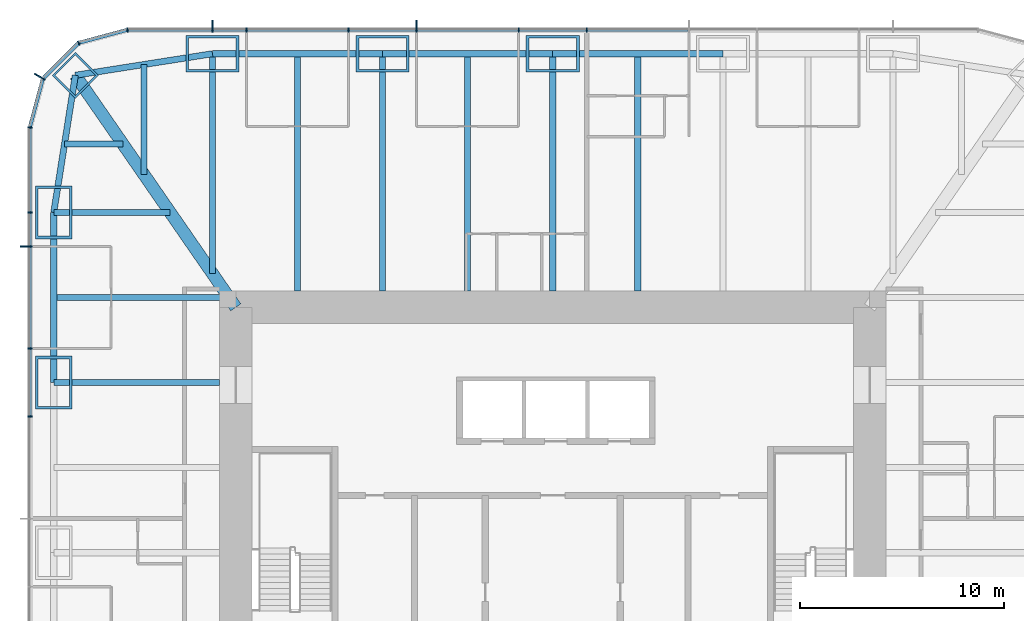
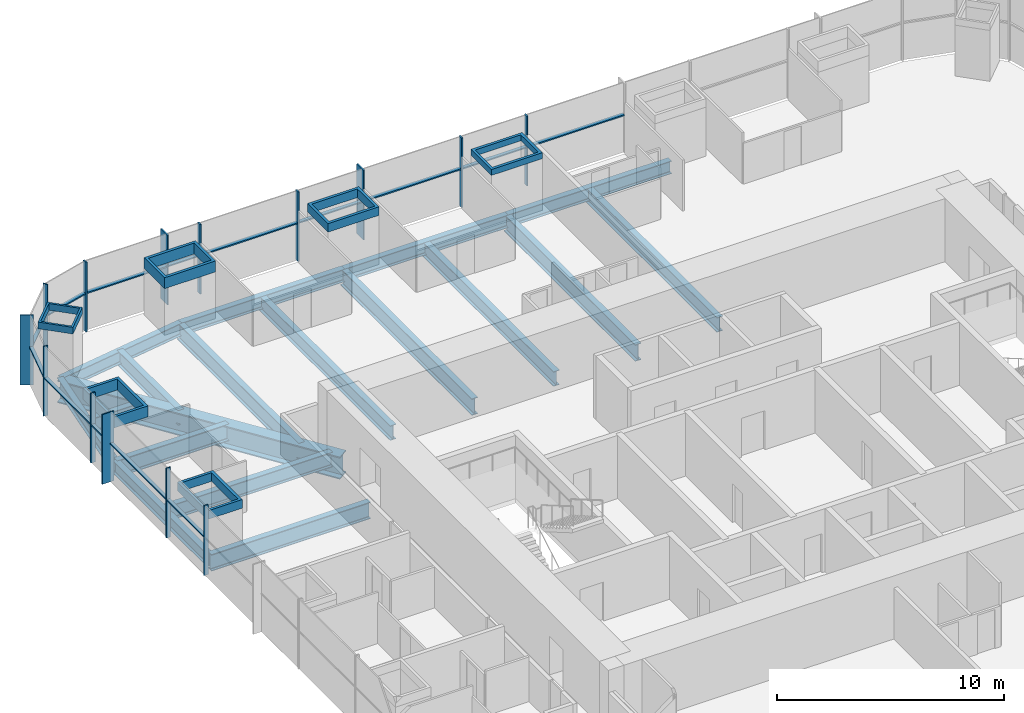
# One storey, part 5 of 13: 34 members, 18 beams, 3 elements without a shape of their own.
"""IFC4 building model written with IfcOpenShell, lengths in metres."""

from ifc_helpers import new_model, si_unit, direction, frame, origin, origin_2d, place, context, subcontext, project, spatial, rectangle, hollow_rectangle, i_section, extrude, material, material_profile, profile_set, type_object, element, aggregate, save


model = new_model("IFC4")

# Units and contexts
model_context = context("Model", 3, precision=1e-05, world=origin(), true_north=direction((0.0, 1.0)))
body_context = subcontext(model_context, "Body", "Model", "MODEL_VIEW")
ifc_project = project(units=[si_unit("LENGTHUNIT", "METRE"), si_unit("AREAUNIT", "SQUARE_METRE"), si_unit("VOLUMEUNIT", "CUBIC_METRE"), si_unit("PLANEANGLEUNIT", "RADIAN"), si_unit("MASSUNIT", "GRAM", prefix="KILO")], contexts=[model_context])

# Site, building, storey
site_placement = place(None, origin())
site = spatial("IfcSite", under=ifc_project, at=site_placement, CompositionType="ELEMENT")
building_placement = place(site_placement, origin())
building = spatial("IfcBuilding", under=site, at=building_placement, Name="Khuree Lantern Residences", CompositionType="ELEMENT")
storey_placement = place(building_placement, frame((0.0, 0.0, 274.5)))
storey = spatial("IfcBuildingStorey", under=building, at=storey_placement, Name="L69", CompositionType="ELEMENT", Elevation=274.5)

# Beams
ifc_material_1 = material(Name="Steel S355", Category="steel")
ifc_material_profile_1 = material_profile(ifc_material_1, i_section(OverallWidth=0.300048828125, OverallDepth=0.7900390625, WebThickness=0.014892578125, FlangeThickness=0.028076171875, FilletRadius=0.030029296875, at=origin_2d()), Name="HE 800 A")
ifc_profile_set_1 = profile_set([ifc_material_profile_1], Name="Steel S355")
beam_type_1 = type_object("IfcBeamType", Name="B-35A SECONDARY BEAM HE 800 A", PredefinedType="BEAM", material=ifc_profile_set_1)
for number, where, z_axis, x_axis, name in (
    (1, (-12.47998046875, 24.39990234375, -0.64501953125), (0.0, -1.0, 0.0), (1.0, 0.0, 0.0), "Secondary beam N1"),
    (2, (-4.159912109375, 24.39990234375, -0.64501953125), (0.0, -1.0, 0.0), (1.0, 0.0, 0.0), "Secondary beam N2"),
    (3, (4.159912109375, 24.39990234375, -0.64501953125), (0.0, -1.0, 0.0), (1.0, 0.0, 0.0), "Secondary beam N3"),
):
    element("IfcBeam", number, at=place(storey_placement, frame(where, z_axis=z_axis, x_axis=x_axis)), inside=storey, type_object=beam_type_1, Name=name, PredefinedType="BEAM", context=body_context, shape_type="SweptSolid", body=[
        extrude(i_section(OverallWidth=0.300048828125, OverallDepth=0.7900390625, WebThickness=0.014892578125, FlangeThickness=0.028076171875, FilletRadius=0.030029296875, at=origin_2d()), origin(), (0.0, 0.0, 1.0), 11.599853515625),
    ])
beam_1_placement = place(storey_placement, frame((-24.39990234375, 12.47998046875, -0.64501953125), z_axis=(1.0, 0.0, 0.0), x_axis=(0.0, 1.0, 0.0)))
element("IfcBeam", 4, at=beam_1_placement, inside=storey, type_object=beam_type_1, Name="Secondary beam W5", PredefinedType="BEAM", context=body_context, shape_type="SweptSolid", body=[
    extrude(i_section(OverallWidth=0.300048828125, OverallDepth=0.7900390625, WebThickness=0.014892578125, FlangeThickness=0.028076171875, FilletRadius=0.030029296875, at=origin_2d()), origin(), (0.0, 0.0, 1.0), 8.56787109375),
])
beam_2_placement = place(storey_placement, frame((-23.872802734375, 19.992919921875, -0.64501953125), z_axis=(1.0, 0.0, 0.0), x_axis=(0.0, 1.0, 0.0)))
element("IfcBeam", 5, at=beam_2_placement, inside=storey, type_object=beam_type_1, Name="Secondary beam W6", PredefinedType="BEAM", context=body_context, shape_type="SweptSolid", body=[
    extrude(i_section(OverallWidth=0.300048828125, OverallDepth=0.7900390625, WebThickness=0.014892578125, FlangeThickness=0.028076171875, FilletRadius=0.030029296875, at=origin_2d()), origin(), (0.0, 0.0, 1.0), 2.845703125),
])
beam_3_placement = place(storey_placement, frame((-19.992919921875, 23.872802734375, -0.64501953125), z_axis=(0.0, -1.0, 0.0), x_axis=(1.0, 0.0, 0.0)))
element("IfcBeam", 6, at=beam_3_placement, inside=storey, type_object=beam_type_1, Name="Secondary beam N6", PredefinedType="BEAM", context=body_context, shape_type="SweptSolid", body=[
    extrude(i_section(OverallWidth=0.300048828125, OverallDepth=0.7900390625, WebThickness=0.014892578125, FlangeThickness=0.028076171875, FilletRadius=0.030029296875, at=origin_2d()), origin(), (0.0, 0.0, 1.0), 5.375732421875),
])
ifc_material_profile_2 = material_profile(ifc_material_1, i_section(OverallWidth=0.300048828125, OverallDepth=0.68994140625, WebThickness=0.014404296875, FlangeThickness=0.027099609375, FilletRadius=0.027099609375, at=origin_2d()), Name="HE 700 A")
ifc_profile_set_2 = profile_set([ifc_material_profile_2], Name="Steel S355")
beam_type_2 = type_object("IfcBeamType", Name="E-35A SPANDREL BEAM HE 700 A", PredefinedType="SPANDREL", material=ifc_profile_set_2)
beam_4_placement = place(storey_placement, frame((-16.639892578125, 24.39990234375, -0.594970703125), z_axis=(1.0, 0.0, 0.0), x_axis=(0.0, 1.0, 0.0)))
element("IfcBeam", 7, at=beam_4_placement, inside=storey, type_object=beam_type_2, Name="Spandrel beam N1", PredefinedType="SPANDREL", context=body_context, shape_type="SweptSolid", body=[
    extrude(i_section(OverallWidth=0.300048828125, OverallDepth=0.68994140625, WebThickness=0.014404296875, FlangeThickness=0.027099609375, FilletRadius=0.027099609375, at=origin_2d()), origin(), (0.0, 0.0, 1.0), 8.31982421875),
])
for number, where, z_axis, x_axis, name in (
    (8, (-8.320068359375, 24.39990234375, -0.594970703125), (1.0, 0.0, 0.0), (0.0, 1.0, 0.0), "Spandrel beam N2"),
    (9, (0.0, 24.39990234375, -0.594970703125), (1.0, 0.0, 0.0), (0.0, 1.0, 0.0), "Spandrel beam N3"),
):
    element("IfcBeam", number, at=place(storey_placement, frame(where, z_axis=z_axis, x_axis=x_axis)), inside=storey, type_object=beam_type_2, Name=name, PredefinedType="SPANDREL", context=body_context, shape_type="SweptSolid", body=[
        extrude(i_section(OverallWidth=0.300048828125, OverallDepth=0.68994140625, WebThickness=0.014404296875, FlangeThickness=0.027099609375, FilletRadius=0.027099609375, at=origin_2d()), origin(), (0.0, 0.0, 1.0), 8.320068359375),
    ])
beam_5_placement = place(storey_placement, frame((-24.39990234375, 8.320068359375, -0.594970703125), z_axis=(0.0, 1.0, 0.0), x_axis=(-1.0, 0.0, 0.0)))
element("IfcBeam", 10, at=beam_5_placement, inside=storey, type_object=beam_type_2, Name="Spandrel beam W5", PredefinedType="SPANDREL", context=body_context, shape_type="SweptSolid", body=[
    extrude(i_section(OverallWidth=0.300048828125, OverallDepth=0.68994140625, WebThickness=0.014404296875, FlangeThickness=0.027099609375, FilletRadius=0.027099609375, at=origin_2d()), origin(), (0.0, 0.0, 1.0), 8.31982421875),
])
for number, where, z_axis, x_axis, name in (
    (11, (-24.39990234375, 16.639892578125, -0.594970703125), (0.155299507442, 0.98786743189, 0.0), (-0.98786743189, 0.155299507442, 0.0), "Spandrel beam W6"),
    (12, (-23.345703125, 23.345703125, -0.594970703125), (0.98786743189, 0.155299507442, 0.0), (-0.155299507442, 0.98786743189, 0.0), "Spandrel beam N6"),
):
    element("IfcBeam", number, at=place(storey_placement, frame(where, z_axis=z_axis, x_axis=x_axis)), inside=storey, type_object=beam_type_2, Name=name, PredefinedType="SPANDREL", context=body_context, shape_type="SweptSolid", body=[
        extrude(i_section(OverallWidth=0.300048828125, OverallDepth=0.68994140625, WebThickness=0.014404296875, FlangeThickness=0.027099609375, FilletRadius=0.027099609375, at=origin_2d()), origin(), (0.0, 0.0, 1.0), 6.7880859375),
    ])

# Curtain wall, members
ifc_material_2 = material(Name="Bronze anodised aluminium", Category="aluminium")
curtain_wall_type_1 = type_object("IfcCurtainWallType", Name="CW-T1 TOWER FACE CURTAIN WALL", PredefinedType="USERDEFINED", material=ifc_material_2)
curtain_wall_1_placement = place(storey_placement, origin())
curtain_wall_1 = element("IfcCurtainWall", 13, at=curtain_wall_1_placement, inside=storey, type_object=curtain_wall_type_1, Name="L69 NORTH FACE CURTAIN WALL", ObjectType="Stick-built curtain wall", PredefinedType="USERDEFINED")
ifc_material_profile_3 = material_profile(ifc_material_2, rectangle(XDim=0.06494140625, YDim=0.60009765625, at=origin_2d()), Name="F1 65X600")
ifc_profile_set_3 = profile_set([ifc_material_profile_3], Name="Bronze anodised aluminium")
member_type_1 = type_object("IfcMemberType", Name="F1 BRONZE FIN MULLION TOWER 65X600", PredefinedType="MULLION", material=ifc_profile_set_3)
member_1_placement = place(storey_placement, frame((-6.656005859375, 25.75, 0.0), z_axis=(0.0, 0.0, 1.0), x_axis=(-1.0, 0.0, 0.0)))
member_1 = element("IfcMember", 14, at=member_1_placement, type_object=member_type_1, Name="L69 NORTH FACE FIN MULLION 25", PredefinedType="MULLION", context=body_context, shape_type="SweptSolid", body=[
    extrude(rectangle(XDim=0.06494140625, YDim=0.60009765625, at=origin_2d()), origin(), (0.0, 0.0, 1.0), 3.75),
])
member_2_placement = place(storey_placement, frame((-16.639892578125, 25.75, 0.0), z_axis=(0.0, 0.0, 1.0), x_axis=(-1.0, 0.0, 0.0)))
member_2 = element("IfcMember", 15, at=member_2_placement, type_object=member_type_1, Name="L69 NORTH FACE FIN MULLION 28", PredefinedType="MULLION", context=body_context, shape_type="SweptSolid", body=[
    extrude(rectangle(XDim=0.06494140625, YDim=0.60009765625, at=origin_2d()), origin(), (0.0, 0.0, 1.0), 3.75),
])

# Curtain wall, member
curtain_wall_type_2 = type_object("IfcCurtainWallType", Name="CW-T2 TOWER CORNER CURTAIN WALL", PredefinedType="USERDEFINED", material=ifc_material_2)
curtain_wall_2_placement = place(storey_placement, origin())
curtain_wall_2 = element("IfcCurtainWall", 16, at=curtain_wall_2_placement, inside=storey, type_object=curtain_wall_type_2, Name="L69 NORTH-WEST CORNER CURTAIN WALL", ObjectType="Faceted corner curtain wall", PredefinedType="USERDEFINED")
member_3_placement = place(storey_placement, frame((-25.0869140625, 23.27490234375, 0.0), z_axis=(0.0, 0.0, 1.0), x_axis=(-0.499999989586, -0.866025409797, 0.0)))
member_3 = element("IfcMember", 17, at=member_3_placement, type_object=member_type_1, Name="L69 NORTH-WEST CORNER FIN MULLION 31", PredefinedType="MULLION", context=body_context, shape_type="SweptSolid", body=[
    extrude(rectangle(XDim=0.06494140625, YDim=0.60009765625, at=origin_2d()), origin(), (0.0, 0.0, 1.0), 3.75),
])

curtain_wall_3_placement = place(storey_placement, origin())
curtain_wall_3 = element("IfcCurtainWall", 18, at=curtain_wall_3_placement, inside=storey, type_object=curtain_wall_type_1, Name="L69 WEST FACE CURTAIN WALL", ObjectType="Stick-built curtain wall", PredefinedType="USERDEFINED")
member_4_placement = place(storey_placement, frame((-25.75, 14.97607421875, 0.0), z_axis=(0.0, 0.0, 1.0), x_axis=(0.0, -1.0, 0.0)))
member_4 = element("IfcMember", 19, at=member_4_placement, type_object=member_type_1, Name="L69 WEST FACE FIN MULLION 34", PredefinedType="MULLION", context=body_context, shape_type="SweptSolid", body=[
    extrude(rectangle(XDim=0.06494140625, YDim=0.60009765625, at=origin_2d()), origin(), (0.0, 0.0, 1.0), 3.75),
])

# Beams
ifc_material_profile_4 = material_profile(ifc_material_1, i_section(OverallWidth=0.300048828125, OverallDepth=0.89990234375, WebThickness=0.0185546875, FlangeThickness=0.034912109375, FilletRadius=0.030029296875, at=origin_2d()), Name="HE 900 B")
ifc_profile_set_4 = profile_set([ifc_material_profile_4], Name="Steel S355")
beam_type_3 = type_object("IfcBeamType", Name="G-35 GIRDER HE 900 B", PredefinedType="BEAM", material=ifc_profile_set_4)
beam_6_placement = place(storey_placement, frame((-16.639892578125, 24.39990234375, -0.699951171875), z_axis=(0.0, -1.0, 0.0), x_axis=(1.0, 0.0, 0.0)))
element("IfcBeam", 20, at=beam_6_placement, inside=storey, type_object=beam_type_3, Name="Girder N1", PredefinedType="BEAM", context=body_context, shape_type="SweptSolid", body=[
    extrude(i_section(OverallWidth=0.300048828125, OverallDepth=0.89990234375, WebThickness=0.0185546875, FlangeThickness=0.034912109375, FilletRadius=0.030029296875, at=origin_2d()), origin(), (0.0, 0.0, 1.0), 10.751220703125),
])
for number, where, z_axis, x_axis, name in (
    (21, (-8.320068359375, 24.39990234375, -0.699951171875), (0.0, -1.0, 0.0), (1.0, 0.0, 0.0), "Girder N2"),
    (22, (0.0, 24.39990234375, -0.699951171875), (0.0, -1.0, 0.0), (1.0, 0.0, 0.0), "Girder N3"),
):
    element("IfcBeam", number, at=place(storey_placement, frame(where, z_axis=z_axis, x_axis=x_axis)), inside=storey, type_object=beam_type_3, Name=name, PredefinedType="BEAM", context=body_context, shape_type="SweptSolid", body=[
        extrude(i_section(OverallWidth=0.300048828125, OverallDepth=0.89990234375, WebThickness=0.0185546875, FlangeThickness=0.034912109375, FilletRadius=0.030029296875, at=origin_2d()), origin(), (0.0, 0.0, 1.0), 11.599853515625),
    ])
beam_7_placement = place(storey_placement, frame((-24.39990234375, 8.320068359375, -0.699951171875), z_axis=(1.0, 0.0, 0.0), x_axis=(0.0, 1.0, 0.0)))
element("IfcBeam", 23, at=beam_7_placement, inside=storey, type_object=beam_type_3, Name="Girder W4", PredefinedType="BEAM", context=body_context, shape_type="SweptSolid", body=[
    extrude(i_section(OverallWidth=0.300048828125, OverallDepth=0.89990234375, WebThickness=0.0185546875, FlangeThickness=0.034912109375, FilletRadius=0.030029296875, at=origin_2d()), origin(), (0.0, 0.0, 1.0), 8.099853515625),
])
beam_8_placement = place(storey_placement, frame((-24.39990234375, 16.639892578125, -0.699951171875), z_axis=(1.0, 0.0, 0.0), x_axis=(0.0, 1.0, 0.0)))
element("IfcBeam", 24, at=beam_8_placement, inside=storey, type_object=beam_type_3, Name="Girder W5", PredefinedType="BEAM", context=body_context, shape_type="SweptSolid", body=[
    extrude(i_section(OverallWidth=0.300048828125, OverallDepth=0.89990234375, WebThickness=0.0185546875, FlangeThickness=0.034912109375, FilletRadius=0.030029296875, at=origin_2d()), origin(), (0.0, 0.0, 1.0), 5.69140625),
])
ifc_material_profile_5 = material_profile(ifc_material_1, i_section(OverallWidth=0.60009765625, OverallDepth=1.199951171875, WebThickness=0.030029296875, FlangeThickness=0.06005859375, at=origin_2d()), Name="WELDED I 1200X600X30X60")
ifc_profile_set_5 = profile_set([ifc_material_profile_5], Name="Steel S355")
beam_type_4 = type_object("IfcBeamType", Name="GD-35A CORNER GIRDER WELDED I 1200X600X30X60", PredefinedType="BEAM", material=ifc_profile_set_5)
beam_9_placement = place(storey_placement, frame((-23.345703125, 23.345703125, -0.85009765625), z_axis=(0.56876813501, -0.822497907959, 0.0), x_axis=(0.822497907959, 0.56876813501, 0.0)))
element("IfcBeam", 25, at=beam_9_placement, inside=storey, type_object=beam_type_4, Name="Corner girder NW", PredefinedType="BEAM", context=body_context, shape_type="SweptSolid", body=[
    extrude(i_section(OverallWidth=0.60009765625, OverallDepth=1.199951171875, WebThickness=0.030029296875, FlangeThickness=0.06005859375, at=origin_2d()), origin(), (0.0, 0.0, 1.0), 13.794189453125),
])

# Member
ifc_material_profile_6 = material_profile(ifc_material_2, rectangle(XDim=0.06494140625, YDim=0.219970703125, at=origin_2d()), Name="M1 65X220")
ifc_profile_set_6 = profile_set([ifc_material_profile_6], Name="Bronze anodised aluminium")
member_type_2 = type_object("IfcMemberType", Name="M1 BRONZE MULLION TOWER 65X220", PredefinedType="MULLION", material=ifc_profile_set_6)
member_5_placement = place(storey_placement, frame((1.6640625, 25.56005859375, 0.0), z_axis=(0.0, 0.0, 1.0), x_axis=(-1.0, 0.0, 0.0)))
member_5 = element("IfcMember", 26, at=member_5_placement, type_object=member_type_2, Name="L69 NORTH FACE MULLION 23", PredefinedType="MULLION", context=body_context, shape_type="SweptSolid", body=[
    extrude(rectangle(XDim=0.06494140625, YDim=0.219970703125, at=origin_2d()), origin(), (0.0, 0.0, 1.0), 3.75),
])

member_6_placement = place(storey_placement, frame((-1.6640625, 25.56005859375, 0.0), z_axis=(0.0, 0.0, 1.0), x_axis=(-1.0, 0.0, 0.0)))
member_6 = element("IfcMember", 27, at=member_6_placement, type_object=member_type_2, Name="L69 NORTH FACE MULLION 24", PredefinedType="MULLION", context=body_context, shape_type="SweptSolid", body=[
    extrude(rectangle(XDim=0.06494140625, YDim=0.219970703125, at=origin_2d()), origin(), (0.0, 0.0, 1.0), 3.75),
])

member_7_placement = place(storey_placement, frame((-9.98388671875, 25.56005859375, 0.0), z_axis=(0.0, 0.0, 1.0), x_axis=(-1.0, 0.0, 0.0)))
member_7 = element("IfcMember", 28, at=member_7_placement, type_object=member_type_2, Name="L69 NORTH FACE MULLION 26", PredefinedType="MULLION", context=body_context, shape_type="SweptSolid", body=[
    extrude(rectangle(XDim=0.06494140625, YDim=0.219970703125, at=origin_2d()), origin(), (0.0, 0.0, 1.0), 3.75),
])

member_8_placement = place(storey_placement, frame((-14.97607421875, 25.56005859375, 0.0), z_axis=(0.0, 0.0, 1.0), x_axis=(-1.0, 0.0, 0.0)))
member_8 = element("IfcMember", 29, at=member_8_placement, type_object=member_type_2, Name="L69 NORTH FACE MULLION 27", PredefinedType="MULLION", context=body_context, shape_type="SweptSolid", body=[
    extrude(rectangle(XDim=0.06494140625, YDim=0.219970703125, at=origin_2d()), origin(), (0.0, 0.0, 1.0), 3.75),
])

member_9_placement = place(storey_placement, frame((-20.794921875, 25.561767578125, 0.0), z_axis=(0.0, 0.0, 1.0), x_axis=(-0.991444862943, -0.130526180298, 0.0)))
member_9 = element("IfcMember", 30, at=member_9_placement, type_object=member_type_2, Name="L69 NORTH-WEST CORNER MULLION 29", PredefinedType="MULLION", context=body_context, shape_type="SweptSolid", body=[
    extrude(rectangle(XDim=0.06494140625, YDim=0.219970703125, at=origin_2d()), origin(), (0.0, 0.0, 1.0), 3.75),
])

member_10_placement = place(storey_placement, frame((-23.179931640625, 24.92236328125, 0.0), z_axis=(0.0, 0.0, 1.0), x_axis=(-0.866025409797, -0.499999989586, 0.0)))
member_10 = element("IfcMember", 31, at=member_10_placement, type_object=member_type_2, Name="L69 NORTH-WEST CORNER MULLION 30", PredefinedType="MULLION", context=body_context, shape_type="SweptSolid", body=[
    extrude(rectangle(XDim=0.06494140625, YDim=0.219970703125, at=origin_2d()), origin(), (0.0, 0.0, 1.0), 3.75),
])

member_11_placement = place(storey_placement, frame((-25.561767578125, 20.794921875, 0.0), z_axis=(0.0, 0.0, 1.0), x_axis=(-0.130526180298, -0.991444862943, 0.0)))
member_11 = element("IfcMember", 32, at=member_11_placement, type_object=member_type_2, Name="L69 WEST FACE MULLION 32", PredefinedType="MULLION", context=body_context, shape_type="SweptSolid", body=[
    extrude(rectangle(XDim=0.06494140625, YDim=0.219970703125, at=origin_2d()), origin(), (0.0, 0.0, 1.0), 3.75),
])

member_12_placement = place(storey_placement, frame((-25.56005859375, 16.639892578125, 0.0), z_axis=(0.0, 0.0, 1.0), x_axis=(0.0, -1.0, 0.0)))
member_12 = element("IfcMember", 33, at=member_12_placement, type_object=member_type_2, Name="L69 WEST FACE MULLION 33", PredefinedType="MULLION", context=body_context, shape_type="SweptSolid", body=[
    extrude(rectangle(XDim=0.06494140625, YDim=0.219970703125, at=origin_2d()), origin(), (0.0, 0.0, 1.0), 3.75),
])

member_13_placement = place(storey_placement, frame((-25.56005859375, 9.98388671875, 0.0), z_axis=(0.0, 0.0, 1.0), x_axis=(0.0, -1.0, 0.0)))
member_13 = element("IfcMember", 34, at=member_13_placement, type_object=member_type_2, Name="L69 WEST FACE MULLION 35", PredefinedType="MULLION", context=body_context, shape_type="SweptSolid", body=[
    extrude(rectangle(XDim=0.06494140625, YDim=0.219970703125, at=origin_2d()), origin(), (0.0, 0.0, 1.0), 3.75),
])

member_14_placement = place(storey_placement, frame((-25.56005859375, 6.656005859375, 0.0), z_axis=(0.0, 0.0, 1.0), x_axis=(0.0, -1.0, 0.0)))
member_14 = element("IfcMember", 35, at=member_14_placement, type_object=member_type_2, Name="L69 WEST FACE MULLION 36", PredefinedType="MULLION", context=body_context, shape_type="SweptSolid", body=[
    extrude(rectangle(XDim=0.06494140625, YDim=0.219970703125, at=origin_2d()), origin(), (0.0, 0.0, 1.0), 3.75),
])

# Members
ifc_material_3 = material(Name="Steel S355 CFT welded box", Category="steel")
ifc_material_profile_7 = material_profile(ifc_material_3, hollow_rectangle(XDim=1.60009765625, YDim=1.60009765625, WallThickness=0.10009765625, at=origin_2d()), Name="WELDED BOX 1600X1600X100")
ifc_profile_set_7 = profile_set([ifc_material_profile_7], Name="Steel S355 CFT welded box")
member_type_3 = type_object("IfcMemberType", Name="MNA MEGA COLUMN NODE WELDED BOX 1600X1600X100", PredefinedType="MEMBER", material=ifc_profile_set_7)
member_15_placement = place(storey_placement, frame((-23.345703125, 23.345703125, 2.739990234375), z_axis=(0.0, 0.0, 1.0), x_axis=(0.707106781187, 0.707106781187, 0.0)))
element("IfcMember", 36, at=member_15_placement, inside=storey, type_object=member_type_3, Name="Mega column node NW", PredefinedType="MEMBER", context=body_context, shape_type="SweptSolid", body=[
    extrude(hollow_rectangle(XDim=1.60009765625, YDim=1.60009765625, WallThickness=0.10009765625, at=origin_2d()), origin(), (0.0, 0.0, 1.0), 0.360107421875),
])
ifc_material_profile_8 = material_profile(ifc_material_3, hollow_rectangle(XDim=2.60009765625, YDim=1.800048828125, WallThickness=0.139892578125, at=origin_2d()), Name="WELDED BOX 2600X1800X140")
ifc_profile_set_8 = profile_set([ifc_material_profile_8], Name="Steel S355 CFT welded box")
member_type_4 = type_object("IfcMemberType", Name="MNB MEGA COLUMN NODE WELDED BOX 2600X1800X140", PredefinedType="MEMBER", material=ifc_profile_set_8)
member_16_placement = place(storey_placement, frame((-16.639892578125, 24.39990234375, 2.510009765625), z_axis=(0.0, 0.0, 1.0), x_axis=(1.0, 0.0, 0.0)))
element("IfcMember", 37, at=member_16_placement, inside=storey, type_object=member_type_4, Name="Mega column node N1", PredefinedType="MEMBER", context=body_context, shape_type="SweptSolid", body=[
    extrude(hollow_rectangle(XDim=2.60009765625, YDim=1.800048828125, WallThickness=0.139892578125, at=origin_2d()), origin(), (0.0, 0.0, 1.0), 0.590087890625),
])
member_17_placement = place(storey_placement, frame((-8.320068359375, 24.39990234375, 2.639892578125), z_axis=(0.0, 0.0, 1.0), x_axis=(1.0, 0.0, 0.0)))
element("IfcMember", 38, at=member_17_placement, inside=storey, type_object=member_type_4, Name="Mega column node N2", PredefinedType="MEMBER", context=body_context, shape_type="SweptSolid", body=[
    extrude(hollow_rectangle(XDim=2.60009765625, YDim=1.800048828125, WallThickness=0.139892578125, at=origin_2d()), origin(), (0.0, 0.0, 1.0), 0.460205078125),
])
member_18_placement = place(storey_placement, frame((0.0, 24.39990234375, 2.780029296875), z_axis=(0.0, 0.0, 1.0), x_axis=(1.0, 0.0, 0.0)))
element("IfcMember", 39, at=member_18_placement, inside=storey, type_object=member_type_4, Name="Mega column node N3", PredefinedType="MEMBER", context=body_context, shape_type="SweptSolid", body=[
    extrude(hollow_rectangle(XDim=2.60009765625, YDim=1.800048828125, WallThickness=0.139892578125, at=origin_2d()), origin(), (0.0, 0.0, 1.0), 0.320068359375),
])
member_19_placement = place(storey_placement, frame((-24.39990234375, 8.320068359375, 2.639892578125), z_axis=(0.0, 0.0, 1.0), x_axis=(0.0, 1.0, 0.0)))
element("IfcMember", 40, at=member_19_placement, inside=storey, type_object=member_type_4, Name="Mega column node W4", PredefinedType="MEMBER", context=body_context, shape_type="SweptSolid", body=[
    extrude(hollow_rectangle(XDim=2.60009765625, YDim=1.800048828125, WallThickness=0.139892578125, at=origin_2d()), origin(), (0.0, 0.0, 1.0), 0.460205078125),
])
member_20_placement = place(storey_placement, frame((-24.39990234375, 16.639892578125, 2.510009765625), z_axis=(0.0, 0.0, 1.0), x_axis=(0.0, 1.0, 0.0)))
element("IfcMember", 41, at=member_20_placement, inside=storey, type_object=member_type_4, Name="Mega column node W5", PredefinedType="MEMBER", context=body_context, shape_type="SweptSolid", body=[
    extrude(hollow_rectangle(XDim=2.60009765625, YDim=1.800048828125, WallThickness=0.139892578125, at=origin_2d()), origin(), (0.0, 0.0, 1.0), 0.590087890625),
])

# Member
ifc_material_profile_9 = material_profile(ifc_material_2, rectangle(XDim=0.179931640625, YDim=0.06494140625, at=origin_2d()), Name="T1 180X65")
ifc_profile_set_9 = profile_set([ifc_material_profile_9], Name="Bronze anodised aluminium")
member_type_5 = type_object("IfcMemberType", Name="TRANSOM T1 TOWER 180X65", PredefinedType="USERDEFINED", material=ifc_profile_set_9)
member_21_placement = place(storey_placement, frame((6.62353515625, 25.570068359375, 2.050048828125), z_axis=(-1.0, 0.0, 0.0), x_axis=(0.0, -1.0, 0.0)))
member_21 = element("IfcMember", 42, at=member_21_placement, type_object=member_type_5, Name="L69 NORTH FACE TRANSOM 22.1", ObjectType="Transom", PredefinedType="USERDEFINED", context=body_context, shape_type="SweptSolid", body=[
    extrude(rectangle(XDim=0.179931640625, YDim=0.06494140625, at=origin_2d()), origin(), (0.0, 0.0, 1.0), 4.927001953125),
])

member_22_placement = place(storey_placement, frame((1.631591796875, 25.570068359375, 2.050048828125), z_axis=(-1.0, 0.0, 0.0), x_axis=(0.0, -1.0, 0.0)))
member_22 = element("IfcMember", 43, at=member_22_placement, type_object=member_type_5, Name="L69 NORTH FACE TRANSOM 23.1", ObjectType="Transom", PredefinedType="USERDEFINED", context=body_context, shape_type="SweptSolid", body=[
    extrude(rectangle(XDim=0.179931640625, YDim=0.06494140625, at=origin_2d()), origin(), (0.0, 0.0, 1.0), 3.26318359375),
])

member_23_placement = place(storey_placement, frame((-1.696533203125, 25.570068359375, 2.050048828125), z_axis=(-1.0, 0.0, 0.0), x_axis=(0.0, -1.0, 0.0)))
member_23 = element("IfcMember", 44, at=member_23_placement, type_object=member_type_5, Name="L69 NORTH FACE TRANSOM 24.1", ObjectType="Transom", PredefinedType="USERDEFINED", context=body_context, shape_type="SweptSolid", body=[
    extrude(rectangle(XDim=0.179931640625, YDim=0.06494140625, at=origin_2d()), origin(), (0.0, 0.0, 1.0), 4.927001953125),
])

member_24_placement = place(storey_placement, frame((-6.6884765625, 25.570068359375, 2.050048828125), z_axis=(-1.0, 0.0, 0.0), x_axis=(0.0, -1.0, 0.0)))
member_24 = element("IfcMember", 45, at=member_24_placement, type_object=member_type_5, Name="L69 NORTH FACE TRANSOM 25.1", ObjectType="Transom", PredefinedType="USERDEFINED", context=body_context, shape_type="SweptSolid", body=[
    extrude(rectangle(XDim=0.179931640625, YDim=0.06494140625, at=origin_2d()), origin(), (0.0, 0.0, 1.0), 3.262939453125),
])

member_25_placement = place(storey_placement, frame((-10.0166015625, 25.570068359375, 2.050048828125), z_axis=(-1.0, 0.0, 0.0), x_axis=(0.0, -1.0, 0.0)))
member_25 = element("IfcMember", 46, at=member_25_placement, type_object=member_type_5, Name="L69 NORTH FACE TRANSOM 26.1", ObjectType="Transom", PredefinedType="USERDEFINED", context=body_context, shape_type="SweptSolid", body=[
    extrude(rectangle(XDim=0.179931640625, YDim=0.06494140625, at=origin_2d()), origin(), (0.0, 0.0, 1.0), 4.927001953125),
])

member_26_placement = place(storey_placement, frame((-15.008544921875, 25.570068359375, 2.050048828125), z_axis=(-1.0, 0.0, 0.0), x_axis=(0.0, -1.0, 0.0)))
member_26 = element("IfcMember", 47, at=member_26_placement, type_object=member_type_5, Name="L69 NORTH FACE TRANSOM 27.1", ObjectType="Transom", PredefinedType="USERDEFINED", context=body_context, shape_type="SweptSolid", body=[
    extrude(rectangle(XDim=0.179931640625, YDim=0.06494140625, at=origin_2d()), origin(), (0.0, 0.0, 1.0), 1.598876953125),
])

member_27_placement = place(storey_placement, frame((-16.672607421875, 25.570068359375, 2.050048828125), z_axis=(-1.0, 0.0, 0.0), x_axis=(0.0, -1.0, 0.0)))
member_27 = element("IfcMember", 48, at=member_27_placement, type_object=member_type_5, Name="L69 NORTH FACE TRANSOM 28.1", ObjectType="Transom", PredefinedType="USERDEFINED", context=body_context, shape_type="SweptSolid", body=[
    extrude(rectangle(XDim=0.179931640625, YDim=0.06494140625, at=origin_2d()), origin(), (0.0, 0.0, 1.0), 4.078857421875),
])

aggregate(curtain_wall_1, [member_5, member_6, member_1, member_7, member_8, member_2, member_21, member_22, member_23, member_24, member_25, member_26, member_27])

member_28_placement = place(storey_placement, frame((-20.839111328125, 25.558349609375, 2.050048828125), z_axis=(-0.965947132115, -0.258739517581, 0.0), x_axis=(0.258739517581, -0.965947132115, 0.0)))
member_28 = element("IfcMember", 49, at=member_28_placement, type_object=member_type_5, Name="L69 NORTH-WEST CORNER TRANSOM 29.1", ObjectType="Transom", PredefinedType="USERDEFINED", context=body_context, shape_type="SweptSolid", body=[
    extrude(rectangle(XDim=0.179931640625, YDim=0.06494140625, at=origin_2d()), origin(), (0.0, 0.0, 1.0), 2.370361328125),
])

member_29_placement = place(storey_placement, frame((-23.225341796875, 24.88916015625, 2.050048828125), z_axis=(-0.707106781187, -0.707106781187, 0.0), x_axis=(0.707106781187, -0.707106781187, 0.0)))
member_29 = element("IfcMember", 50, at=member_29_placement, type_object=member_type_5, Name="L69 NORTH-WEST CORNER TRANSOM 30.1", ObjectType="Transom", PredefinedType="USERDEFINED", context=body_context, shape_type="SweptSolid", body=[
    extrude(rectangle(XDim=0.179931640625, YDim=0.06494140625, at=origin_2d()), origin(), (0.0, 0.0, 1.0), 2.35302734375),
])

member_30_placement = place(storey_placement, frame((-24.945068359375, 23.128662109375, 2.050048828125), z_axis=(-0.258739517581, -0.965947132115, 0.0), x_axis=(0.965947132115, -0.258739517581, 0.0)))
member_30 = element("IfcMember", 51, at=member_30_placement, type_object=member_type_5, Name="L69 NORTH-WEST CORNER TRANSOM 31.1", ObjectType="Transom", PredefinedType="USERDEFINED", context=body_context, shape_type="SweptSolid", body=[
    extrude(rectangle(XDim=0.179931640625, YDim=0.06494140625, at=origin_2d()), origin(), (0.0, 0.0, 1.0), 2.370361328125),
])

aggregate(curtain_wall_2, [member_9, member_10, member_3, member_28, member_29, member_30])

member_31_placement = place(storey_placement, frame((-25.570068359375, 20.75146484375, 2.050048828125), z_axis=(0.0, -1.0, 0.0), x_axis=(1.0, 0.0, 0.0)))
member_31 = element("IfcMember", 52, at=member_31_placement, type_object=member_type_5, Name="L69 WEST FACE TRANSOM 32.1", ObjectType="Transom", PredefinedType="USERDEFINED", context=body_context, shape_type="SweptSolid", body=[
    extrude(rectangle(XDim=0.179931640625, YDim=0.06494140625, at=origin_2d()), origin(), (0.0, 0.0, 1.0), 4.078857421875),
])

member_32_placement = place(storey_placement, frame((-25.570068359375, 16.607421875, 2.050048828125), z_axis=(0.0, -1.0, 0.0), x_axis=(1.0, 0.0, 0.0)))
member_32 = element("IfcMember", 53, at=member_32_placement, type_object=member_type_5, Name="L69 WEST FACE TRANSOM 33.1", ObjectType="Transom", PredefinedType="USERDEFINED", context=body_context, shape_type="SweptSolid", body=[
    extrude(rectangle(XDim=0.179931640625, YDim=0.06494140625, at=origin_2d()), origin(), (0.0, 0.0, 1.0), 1.598876953125),
])

member_33_placement = place(storey_placement, frame((-25.570068359375, 14.943603515625, 2.050048828125), z_axis=(0.0, -1.0, 0.0), x_axis=(1.0, 0.0, 0.0)))
member_33 = element("IfcMember", 54, at=member_33_placement, type_object=member_type_5, Name="L69 WEST FACE TRANSOM 34.1", ObjectType="Transom", PredefinedType="USERDEFINED", context=body_context, shape_type="SweptSolid", body=[
    extrude(rectangle(XDim=0.179931640625, YDim=0.06494140625, at=origin_2d()), origin(), (0.0, 0.0, 1.0), 4.927001953125),
])

member_34_placement = place(storey_placement, frame((-25.570068359375, 9.951416015625, 2.050048828125), z_axis=(0.0, -1.0, 0.0), x_axis=(1.0, 0.0, 0.0)))
member_34 = element("IfcMember", 55, at=member_34_placement, type_object=member_type_5, Name="L69 WEST FACE TRANSOM 35.1", ObjectType="Transom", PredefinedType="USERDEFINED", context=body_context, shape_type="SweptSolid", body=[
    extrude(rectangle(XDim=0.179931640625, YDim=0.06494140625, at=origin_2d()), origin(), (0.0, 0.0, 1.0), 3.262939453125),
])

aggregate(curtain_wall_3, [member_11, member_12, member_4, member_13, member_14, member_31, member_32, member_33, member_34])

save(model, "model.ifc")
